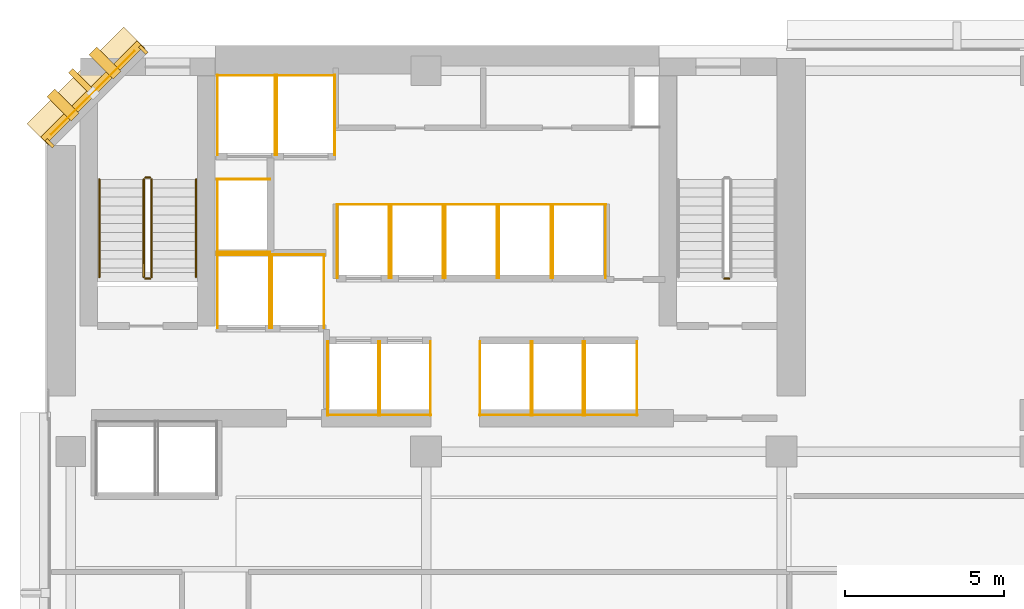
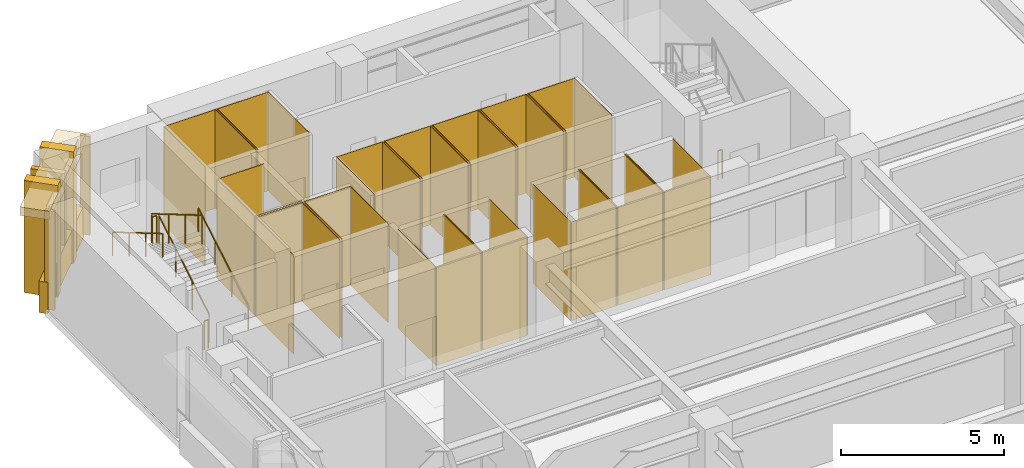
# One storey, part 11 of 13: 52 coverings, 7 railings, 1 shading device.
"""IFC4 building model written with IfcOpenShell, lengths in metres."""

from ifc_helpers import new_model, si_unit, direction, frame, origin, origin_2d, place, context, subcontext, project, spatial, polyline, rectangle, circle, outline, extrude, material, layer, layer_set, material_profile, profile_set, type_object, element, save


model = new_model("IFC4")

# Units and contexts
model_context = context("Model", 3, precision=1e-05, world=origin(), true_north=direction((0.0, 1.0)))
body_context = subcontext(model_context, "Body", "Model", "MODEL_VIEW")
ifc_project = project(units=[si_unit("LENGTHUNIT", "METRE"), si_unit("AREAUNIT", "SQUARE_METRE"), si_unit("VOLUMEUNIT", "CUBIC_METRE"), si_unit("PLANEANGLEUNIT", "RADIAN"), si_unit("MASSUNIT", "GRAM", prefix="KILO")], contexts=[model_context])

# Site, building, storey
site_placement = place(None, origin())
site = spatial("IfcSite", under=ifc_project, at=site_placement, CompositionType="ELEMENT")
building_placement = place(site_placement, origin())
building = spatial("IfcBuilding", under=site, at=building_placement, Name="Kefirva Bronze Tower", CompositionType="ELEMENT")
storey_placement = place(building_placement, frame((0.0, 0.0, 30.360107421875)))
storey = spatial("IfcBuildingStorey", under=building, at=storey_placement, Name="L06", CompositionType="ELEMENT", Elevation=30.360107421875)

# Coverings
ifc_material_1 = material(Name="Bronze anodised aluminium", Category="aluminium")
ifc_layer_1 = layer(ifc_material_1, 0.02001953125, Name="Bronze anodised aluminium")
ifc_layer_set_1 = layer_set([ifc_layer_1], Name="Bronze anodised aluminium")
covering_type_1 = type_object("IfcCoveringType", Name="Anodised Bronze Spandrel Cladding 20mm", PredefinedType="CLADDING", material=ifc_layer_set_1)
covering_1_placement = place(storey_placement, frame((1.492919921875, 44.507080078125, 3.2900390625), z_axis=(0.0, 0.0, 1.0), x_axis=(-0.707106781187, -0.707106781187, 0.0)))
element("IfcCovering", 1, at=covering_1_placement, inside=storey, type_object=covering_type_1, Name="L06 Bronze Spandrel Cladding 7", PredefinedType="CLADDING", context=body_context, shape_type="SweptSolid", body=[
    extrude(rectangle(XDim=3.719482421875, YDim=0.02001953125, at=origin_2d()), origin(), (0.0, 0.0, 1.0), 0.39990234375),
])
for number, where, z_axis, x_axis, name in (
    (2, (3.08837890625, 45.862060546875, 0.0), (0.0, 0.0, 1.0), (-0.707106781187, -0.707106781187, 0.0), "L06 Facade Joint Closure Panel 7S"),
    (3, (0.137939453125, 42.91162109375, 0.0), (0.0, 0.0, 1.0), (-0.707106781187, -0.707106781187, 0.0), "L06 Facade Joint Closure Panel 7E"),
):
    element("IfcCovering", number, at=place(storey_placement, frame(where, z_axis=z_axis, x_axis=x_axis)), inside=storey, type_object=covering_type_1, Name=name, PredefinedType="CLADDING", context=body_context, shape_type="SweptSolid", body=[
        extrude(rectangle(XDim=0.10009765625, YDim=0.320068359375, at=origin_2d()), origin(), (0.0, 0.0, 1.0), 3.7099609375),
    ])
covering_2_placement = place(storey_placement, frame((1.4716796875, 44.5283203125, -0.16015625), z_axis=(0.0, 0.0, 1.0), x_axis=(-0.707106781187, -0.707106781187, 0.0)))
element("IfcCovering", 4, at=covering_2_placement, inside=storey, type_object=covering_type_1, Name="L06 Streamline Horizontal Spandrel Band 9", PredefinedType="CLADDING", context=body_context, shape_type="SweptSolid", body=[
    extrude(rectangle(XDim=4.28271484375, YDim=0.280029296875, at=origin_2d()), origin(), (0.0, 0.0, 1.0), 1.179931640625),
])
covering_3_placement = place(storey_placement, origin())
element("IfcCovering", 5, at=covering_3_placement, inside=storey, type_object=covering_type_1, Name="L06 Lift FF1 Hoistway Liner N", PredefinedType="CLADDING", context=body_context, shape_type="SweptSolid", body=[
    extrude(outline(polyline([(5.39990234375, 39.389892578125), (7.080078125, 39.389892578125), (7.080078125, 39.409912109375), (5.39990234375, 39.409912109375), (5.39990234375, 39.389892578125)])), origin(), (0.0, 0.0, 1.0), 3.7099609375),
])
covering_4_placement = place(storey_placement, origin())
element("IfcCovering", 6, at=covering_4_placement, inside=storey, type_object=covering_type_1, Name="L06 Lift FF1 Hoistway Liner W", PredefinedType="CLADDING", context=body_context, shape_type="SweptSolid", body=[
    extrude(outline(polyline([(5.409912109375, 37.080078125), (5.429931640625, 37.080078125), (5.429931640625, 39.419921875), (5.409912109375, 39.419921875), (5.409912109375, 37.080078125)])), origin(), (0.0, 0.0, 1.0), 3.7099609375),
])
covering_5_placement = place(storey_placement, origin())
element("IfcCovering", 7, at=covering_5_placement, inside=storey, type_object=covering_type_1, Name="L06 Lift FF1 Hoistway Liner E", PredefinedType="CLADDING", context=body_context, shape_type="SweptSolid", body=[
    extrude(outline(polyline([(7.050048828125, 37.080078125), (7.070068359375, 37.080078125), (7.070068359375, 39.419921875), (7.050048828125, 39.419921875), (7.050048828125, 37.080078125)])), origin(), (0.0, 0.0, 1.0), 3.7099609375),
])
covering_6_placement = place(storey_placement, origin())
element("IfcCovering", 8, at=covering_6_placement, inside=storey, type_object=covering_type_1, Name="L06 Lift FF2 Hoistway Liner N", PredefinedType="CLADDING", context=body_context, shape_type="SweptSolid", body=[
    extrude(outline(polyline([(7.1201171875, 39.389892578125), (8.800048828125, 39.389892578125), (8.800048828125, 39.409912109375), (7.1201171875, 39.409912109375), (7.1201171875, 39.389892578125)])), origin(), (0.0, 0.0, 1.0), 3.7099609375),
])
covering_7_placement = place(storey_placement, origin())
element("IfcCovering", 9, at=covering_7_placement, inside=storey, type_object=covering_type_1, Name="L06 Lift FF2 Hoistway Liner W", PredefinedType="CLADDING", context=body_context, shape_type="SweptSolid", body=[
    extrude(outline(polyline([(7.1298828125, 37.080078125), (7.14990234375, 37.080078125), (7.14990234375, 39.419921875), (7.1298828125, 39.419921875), (7.1298828125, 37.080078125)])), origin(), (0.0, 0.0, 1.0), 3.7099609375),
])
covering_8_placement = place(storey_placement, origin())
element("IfcCovering", 10, at=covering_8_placement, inside=storey, type_object=covering_type_1, Name="L06 Lift FF2 Hoistway Liner E", PredefinedType="CLADDING", context=body_context, shape_type="SweptSolid", body=[
    extrude(outline(polyline([(8.77001953125, 37.080078125), (8.7900390625, 37.080078125), (8.7900390625, 39.419921875), (8.77001953125, 39.419921875), (8.77001953125, 37.080078125)])), origin(), (0.0, 0.0, 1.0), 3.7099609375),
])
covering_9_placement = place(storey_placement, origin())
element("IfcCovering", 11, at=covering_9_placement, inside=storey, type_object=covering_type_1, Name="L06 Lift SV1 Hoistway Liner N", PredefinedType="CLADDING", context=body_context, shape_type="SweptSolid", body=[
    extrude(outline(polyline([(5.39990234375, 45.0400390625), (7.260009765625, 45.0400390625), (7.260009765625, 45.06005859375), (5.39990234375, 45.06005859375), (5.39990234375, 45.0400390625)])), origin(), (0.0, 0.0, 1.0), 3.7099609375),
])
covering_10_placement = place(storey_placement, origin())
element("IfcCovering", 12, at=covering_10_placement, inside=storey, type_object=covering_type_1, Name="L06 Lift SV1 Hoistway Liner W", PredefinedType="CLADDING", context=body_context, shape_type="SweptSolid", body=[
    extrude(outline(polyline([(5.409912109375, 42.530029296875), (5.429931640625, 42.530029296875), (5.429931640625, 45.070068359375), (5.409912109375, 45.070068359375), (5.409912109375, 42.530029296875)])), origin(), (0.0, 0.0, 1.0), 3.7099609375),
])
covering_11_placement = place(storey_placement, origin())
element("IfcCovering", 13, at=covering_11_placement, inside=storey, type_object=covering_type_1, Name="L06 Lift SV1 Hoistway Liner E", PredefinedType="CLADDING", context=body_context, shape_type="SweptSolid", body=[
    extrude(outline(polyline([(7.22998046875, 42.530029296875), (7.25, 42.530029296875), (7.25, 45.070068359375), (7.22998046875, 45.070068359375), (7.22998046875, 42.530029296875)])), origin(), (0.0, 0.0, 1.0), 3.7099609375),
])
covering_12_placement = place(storey_placement, origin())
element("IfcCovering", 14, at=covering_12_placement, inside=storey, type_object=covering_type_1, Name="L06 Lift SV2 Hoistway Liner N", PredefinedType="CLADDING", context=body_context, shape_type="SweptSolid", body=[
    extrude(outline(polyline([(7.280029296875, 45.0400390625), (9.139892578125, 45.0400390625), (9.139892578125, 45.06005859375), (7.280029296875, 45.06005859375), (7.280029296875, 45.0400390625)])), origin(), (0.0, 0.0, 1.0), 3.7099609375),
])
covering_13_placement = place(storey_placement, origin())
element("IfcCovering", 15, at=covering_13_placement, inside=storey, type_object=covering_type_1, Name="L06 Lift SV2 Hoistway Liner W", PredefinedType="CLADDING", context=body_context, shape_type="SweptSolid", body=[
    extrude(outline(polyline([(7.2900390625, 42.530029296875), (7.31005859375, 42.530029296875), (7.31005859375, 45.070068359375), (7.2900390625, 45.070068359375), (7.2900390625, 42.530029296875)])), origin(), (0.0, 0.0, 1.0), 3.7099609375),
])
covering_14_placement = place(storey_placement, origin())
element("IfcCovering", 16, at=covering_14_placement, inside=storey, type_object=covering_type_1, Name="L06 Lift SV2 Hoistway Liner E", PredefinedType="CLADDING", context=body_context, shape_type="SweptSolid", body=[
    extrude(outline(polyline([(9.110107421875, 42.530029296875), (9.1298828125, 42.530029296875), (9.1298828125, 45.070068359375), (9.110107421875, 45.070068359375), (9.110107421875, 42.530029296875)])), origin(), (0.0, 0.0, 1.0), 3.7099609375),
])
covering_15_placement = place(storey_placement, origin())
element("IfcCovering", 17, at=covering_15_placement, inside=storey, type_object=covering_type_1, Name="L06 Lift LP1 Hoistway Liner S", PredefinedType="CLADDING", context=body_context, shape_type="SweptSolid", body=[
    extrude(outline(polyline([(8.8798828125, 34.340087890625), (10.52001953125, 34.340087890625), (10.52001953125, 34.360107421875), (8.8798828125, 34.360107421875), (8.8798828125, 34.340087890625)])), origin(), (0.0, 0.0, 1.0), 3.7099609375),
])
covering_16_placement = place(storey_placement, origin())
element("IfcCovering", 18, at=covering_16_placement, inside=storey, type_object=covering_type_1, Name="L06 Lift LP1 Hoistway Liner W", PredefinedType="CLADDING", context=body_context, shape_type="SweptSolid", body=[
    extrude(outline(polyline([(8.889892578125, 34.330078125), (8.909912109375, 34.330078125), (8.909912109375, 36.669921875), (8.889892578125, 36.669921875), (8.889892578125, 34.330078125)])), origin(), (0.0, 0.0, 1.0), 3.7099609375),
])
covering_17_placement = place(storey_placement, origin())
element("IfcCovering", 19, at=covering_17_placement, inside=storey, type_object=covering_type_1, Name="L06 Lift LP1 Hoistway Liner E", PredefinedType="CLADDING", context=body_context, shape_type="SweptSolid", body=[
    extrude(outline(polyline([(10.489990234375, 34.330078125), (10.510009765625, 34.330078125), (10.510009765625, 36.669921875), (10.489990234375, 36.669921875), (10.489990234375, 34.330078125)])), origin(), (0.0, 0.0, 1.0), 3.7099609375),
])
covering_18_placement = place(storey_placement, origin())
element("IfcCovering", 20, at=covering_18_placement, inside=storey, type_object=covering_type_1, Name="L06 Lift LP2 Hoistway Liner S", PredefinedType="CLADDING", context=body_context, shape_type="SweptSolid", body=[
    extrude(outline(polyline([(10.52001953125, 34.340087890625), (12.159912109375, 34.340087890625), (12.159912109375, 34.360107421875), (10.52001953125, 34.360107421875), (10.52001953125, 34.340087890625)])), origin(), (0.0, 0.0, 1.0), 3.7099609375),
])
covering_19_placement = place(storey_placement, origin())
element("IfcCovering", 21, at=covering_19_placement, inside=storey, type_object=covering_type_1, Name="L06 Lift LP2 Hoistway Liner W", PredefinedType="CLADDING", context=body_context, shape_type="SweptSolid", body=[
    extrude(outline(polyline([(10.530029296875, 34.330078125), (10.550048828125, 34.330078125), (10.550048828125, 36.669921875), (10.530029296875, 36.669921875), (10.530029296875, 34.330078125)])), origin(), (0.0, 0.0, 1.0), 3.7099609375),
])
covering_20_placement = place(storey_placement, origin())
element("IfcCovering", 22, at=covering_20_placement, inside=storey, type_object=covering_type_1, Name="L06 Lift LP2 Hoistway Liner E", PredefinedType="CLADDING", context=body_context, shape_type="SweptSolid", body=[
    extrude(outline(polyline([(12.1298828125, 34.330078125), (12.14990234375, 34.330078125), (12.14990234375, 36.669921875), (12.1298828125, 36.669921875), (12.1298828125, 34.330078125)])), origin(), (0.0, 0.0, 1.0), 3.7099609375),
])
covering_21_placement = place(storey_placement, origin())
element("IfcCovering", 23, at=covering_21_placement, inside=storey, type_object=covering_type_1, Name="L06 Lift LP3 Hoistway Liner N", PredefinedType="CLADDING", context=body_context, shape_type="SweptSolid", body=[
    extrude(outline(polyline([(9.179931640625, 40.969970703125), (10.85009765625, 40.969970703125), (10.85009765625, 40.989990234375), (9.179931640625, 40.989990234375), (9.179931640625, 40.969970703125)])), origin(), (0.0, 0.0, 1.0), 3.7099609375),
])
covering_22_placement = place(storey_placement, origin())
element("IfcCovering", 24, at=covering_22_placement, inside=storey, type_object=covering_type_1, Name="L06 Lift LP3 Hoistway Liner W", PredefinedType="CLADDING", context=body_context, shape_type="SweptSolid", body=[
    extrude(outline(polyline([(9.18994140625, 38.659912109375), (9.2099609375, 38.659912109375), (9.2099609375, 41.0), (9.18994140625, 41.0), (9.18994140625, 38.659912109375)])), origin(), (0.0, 0.0, 1.0), 3.7099609375),
])
covering_23_placement = place(storey_placement, origin())
element("IfcCovering", 25, at=covering_23_placement, inside=storey, type_object=covering_type_1, Name="L06 Lift LP3 Hoistway Liner E", PredefinedType="CLADDING", context=body_context, shape_type="SweptSolid", body=[
    extrude(outline(polyline([(10.820068359375, 38.659912109375), (10.840087890625, 38.659912109375), (10.840087890625, 41.0), (10.820068359375, 41.0), (10.820068359375, 38.659912109375)])), origin(), (0.0, 0.0, 1.0), 3.7099609375),
])
covering_24_placement = place(storey_placement, origin())
element("IfcCovering", 26, at=covering_24_placement, inside=storey, type_object=covering_type_1, Name="L06 Lift LP4 Hoistway Liner N", PredefinedType="CLADDING", context=body_context, shape_type="SweptSolid", body=[
    extrude(outline(polyline([(10.8798828125, 40.969970703125), (12.550048828125, 40.969970703125), (12.550048828125, 40.989990234375), (10.8798828125, 40.989990234375), (10.8798828125, 40.969970703125)])), origin(), (0.0, 0.0, 1.0), 3.7099609375),
])
covering_25_placement = place(storey_placement, origin())
element("IfcCovering", 27, at=covering_25_placement, inside=storey, type_object=covering_type_1, Name="L06 Lift LP4 Hoistway Liner W", PredefinedType="CLADDING", context=body_context, shape_type="SweptSolid", body=[
    extrude(outline(polyline([(10.889892578125, 38.659912109375), (10.909912109375, 38.659912109375), (10.909912109375, 41.0), (10.889892578125, 41.0), (10.889892578125, 38.659912109375)])), origin(), (0.0, 0.0, 1.0), 3.7099609375),
])
covering_26_placement = place(storey_placement, origin())
element("IfcCovering", 28, at=covering_26_placement, inside=storey, type_object=covering_type_1, Name="L06 Lift LP4 Hoistway Liner E", PredefinedType="CLADDING", context=body_context, shape_type="SweptSolid", body=[
    extrude(outline(polyline([(12.52001953125, 38.659912109375), (12.5400390625, 38.659912109375), (12.5400390625, 41.0), (12.52001953125, 41.0), (12.52001953125, 38.659912109375)])), origin(), (0.0, 0.0, 1.0), 3.7099609375),
])
covering_27_placement = place(storey_placement, origin())
element("IfcCovering", 29, at=covering_27_placement, inside=storey, type_object=covering_type_1, Name="L06 Lift MP1 Hoistway Liner S", PredefinedType="CLADDING", context=body_context, shape_type="SweptSolid", body=[
    extrude(outline(polyline([(13.679931640625, 34.340087890625), (15.320068359375, 34.340087890625), (15.320068359375, 34.360107421875), (13.679931640625, 34.360107421875), (13.679931640625, 34.340087890625)])), origin(), (0.0, 0.0, 1.0), 3.7099609375),
])
covering_28_placement = place(storey_placement, origin())
element("IfcCovering", 30, at=covering_28_placement, inside=storey, type_object=covering_type_1, Name="L06 Lift MP1 Hoistway Liner W", PredefinedType="CLADDING", context=body_context, shape_type="SweptSolid", body=[
    extrude(outline(polyline([(13.68994140625, 34.330078125), (13.7099609375, 34.330078125), (13.7099609375, 36.669921875), (13.68994140625, 36.669921875), (13.68994140625, 34.330078125)])), origin(), (0.0, 0.0, 1.0), 3.7099609375),
])
covering_29_placement = place(storey_placement, origin())
element("IfcCovering", 31, at=covering_29_placement, inside=storey, type_object=covering_type_1, Name="L06 Lift MP1 Hoistway Liner E", PredefinedType="CLADDING", context=body_context, shape_type="SweptSolid", body=[
    extrude(outline(polyline([(15.2900390625, 34.330078125), (15.31005859375, 34.330078125), (15.31005859375, 36.669921875), (15.2900390625, 36.669921875), (15.2900390625, 34.330078125)])), origin(), (0.0, 0.0, 1.0), 3.7099609375),
])
covering_30_placement = place(storey_placement, origin())
element("IfcCovering", 32, at=covering_30_placement, inside=storey, type_object=covering_type_1, Name="L06 Lift MP2 Hoistway Liner S", PredefinedType="CLADDING", context=body_context, shape_type="SweptSolid", body=[
    extrude(outline(polyline([(15.330078125, 34.340087890625), (16.969970703125, 34.340087890625), (16.969970703125, 34.360107421875), (15.330078125, 34.360107421875), (15.330078125, 34.340087890625)])), origin(), (0.0, 0.0, 1.0), 3.7099609375),
])
covering_31_placement = place(storey_placement, origin())
element("IfcCovering", 33, at=covering_31_placement, inside=storey, type_object=covering_type_1, Name="L06 Lift MP2 Hoistway Liner W", PredefinedType="CLADDING", context=body_context, shape_type="SweptSolid", body=[
    extrude(outline(polyline([(15.340087890625, 34.330078125), (15.360107421875, 34.330078125), (15.360107421875, 36.669921875), (15.340087890625, 36.669921875), (15.340087890625, 34.330078125)])), origin(), (0.0, 0.0, 1.0), 3.7099609375),
])
covering_32_placement = place(storey_placement, origin())
element("IfcCovering", 34, at=covering_32_placement, inside=storey, type_object=covering_type_1, Name="L06 Lift MP2 Hoistway Liner E", PredefinedType="CLADDING", context=body_context, shape_type="SweptSolid", body=[
    extrude(outline(polyline([(16.93994140625, 34.330078125), (16.9599609375, 34.330078125), (16.9599609375, 36.669921875), (16.93994140625, 36.669921875), (16.93994140625, 34.330078125)])), origin(), (0.0, 0.0, 1.0), 3.7099609375),
])
covering_33_placement = place(storey_placement, origin())
element("IfcCovering", 35, at=covering_33_placement, inside=storey, type_object=covering_type_1, Name="L06 Lift MP3 Hoistway Liner N", PredefinedType="CLADDING", context=body_context, shape_type="SweptSolid", body=[
    extrude(outline(polyline([(12.580078125, 40.969970703125), (14.25, 40.969970703125), (14.25, 40.989990234375), (12.580078125, 40.989990234375), (12.580078125, 40.969970703125)])), origin(), (0.0, 0.0, 1.0), 3.7099609375),
])
covering_34_placement = place(storey_placement, origin())
element("IfcCovering", 36, at=covering_34_placement, inside=storey, type_object=covering_type_1, Name="L06 Lift MP3 Hoistway Liner W", PredefinedType="CLADDING", context=body_context, shape_type="SweptSolid", body=[
    extrude(outline(polyline([(12.590087890625, 38.659912109375), (12.610107421875, 38.659912109375), (12.610107421875, 41.0), (12.590087890625, 41.0), (12.590087890625, 38.659912109375)])), origin(), (0.0, 0.0, 1.0), 3.7099609375),
])
covering_35_placement = place(storey_placement, origin())
element("IfcCovering", 37, at=covering_35_placement, inside=storey, type_object=covering_type_1, Name="L06 Lift MP3 Hoistway Liner E", PredefinedType="CLADDING", context=body_context, shape_type="SweptSolid", body=[
    extrude(outline(polyline([(14.219970703125, 38.659912109375), (14.239990234375, 38.659912109375), (14.239990234375, 41.0), (14.219970703125, 41.0), (14.219970703125, 38.659912109375)])), origin(), (0.0, 0.0, 1.0), 3.7099609375),
])
covering_36_placement = place(storey_placement, origin())
element("IfcCovering", 38, at=covering_36_placement, inside=storey, type_object=covering_type_1, Name="L06 Lift MP4 Hoistway Liner N", PredefinedType="CLADDING", context=body_context, shape_type="SweptSolid", body=[
    extrude(outline(polyline([(14.280029296875, 40.969970703125), (15.949951171875, 40.969970703125), (15.949951171875, 40.989990234375), (14.280029296875, 40.989990234375), (14.280029296875, 40.969970703125)])), origin(), (0.0, 0.0, 1.0), 3.7099609375),
])
covering_37_placement = place(storey_placement, origin())
element("IfcCovering", 39, at=covering_37_placement, inside=storey, type_object=covering_type_1, Name="L06 Lift MP4 Hoistway Liner W", PredefinedType="CLADDING", context=body_context, shape_type="SweptSolid", body=[
    extrude(outline(polyline([(14.2900390625, 38.659912109375), (14.31005859375, 38.659912109375), (14.31005859375, 41.0), (14.2900390625, 41.0), (14.2900390625, 38.659912109375)])), origin(), (0.0, 0.0, 1.0), 3.7099609375),
])
covering_38_placement = place(storey_placement, origin())
element("IfcCovering", 40, at=covering_38_placement, inside=storey, type_object=covering_type_1, Name="L06 Lift MP4 Hoistway Liner E", PredefinedType="CLADDING", context=body_context, shape_type="SweptSolid", body=[
    extrude(outline(polyline([(15.919921875, 38.659912109375), (15.93994140625, 38.659912109375), (15.93994140625, 41.0), (15.919921875, 41.0), (15.919921875, 38.659912109375)])), origin(), (0.0, 0.0, 1.0), 3.7099609375),
])
covering_39_placement = place(storey_placement, origin())
element("IfcCovering", 41, at=covering_39_placement, inside=storey, type_object=covering_type_1, Name="L06 Lift HP1 Hoistway Liner S", PredefinedType="CLADDING", context=body_context, shape_type="SweptSolid", body=[
    extrude(outline(polyline([(16.97998046875, 34.340087890625), (18.669921875, 34.340087890625), (18.669921875, 34.360107421875), (16.97998046875, 34.360107421875), (16.97998046875, 34.340087890625)])), origin(), (0.0, 0.0, 1.0), 3.7099609375),
])
covering_40_placement = place(storey_placement, origin())
element("IfcCovering", 42, at=covering_40_placement, inside=storey, type_object=covering_type_1, Name="L06 Lift HP1 Hoistway Liner W", PredefinedType="CLADDING", context=body_context, shape_type="SweptSolid", body=[
    extrude(outline(polyline([(16.989990234375, 34.330078125), (17.010009765625, 34.330078125), (17.010009765625, 36.669921875), (16.989990234375, 36.669921875), (16.989990234375, 34.330078125)])), origin(), (0.0, 0.0, 1.0), 3.7099609375),
])
covering_41_placement = place(storey_placement, origin())
element("IfcCovering", 43, at=covering_41_placement, inside=storey, type_object=covering_type_1, Name="L06 Lift HP1 Hoistway Liner E", PredefinedType="CLADDING", context=body_context, shape_type="SweptSolid", body=[
    extrude(outline(polyline([(18.639892578125, 34.330078125), (18.659912109375, 34.330078125), (18.659912109375, 36.669921875), (18.639892578125, 36.669921875), (18.639892578125, 34.330078125)])), origin(), (0.0, 0.0, 1.0), 3.7099609375),
])
covering_42_placement = place(storey_placement, origin())
element("IfcCovering", 44, at=covering_42_placement, inside=storey, type_object=covering_type_1, Name="L06 Lift HP2 Hoistway Liner N", PredefinedType="CLADDING", context=body_context, shape_type="SweptSolid", body=[
    extrude(outline(polyline([(15.97998046875, 40.969970703125), (17.669921875, 40.969970703125), (17.669921875, 40.989990234375), (15.97998046875, 40.989990234375), (15.97998046875, 40.969970703125)])), origin(), (0.0, 0.0, 1.0), 3.7099609375),
])
covering_43_placement = place(storey_placement, origin())
element("IfcCovering", 45, at=covering_43_placement, inside=storey, type_object=covering_type_1, Name="L06 Lift HP2 Hoistway Liner W", PredefinedType="CLADDING", context=body_context, shape_type="SweptSolid", body=[
    extrude(outline(polyline([(15.989990234375, 38.659912109375), (16.010009765625, 38.659912109375), (16.010009765625, 41.0), (15.989990234375, 41.0), (15.989990234375, 38.659912109375)])), origin(), (0.0, 0.0, 1.0), 3.7099609375),
])
covering_44_placement = place(storey_placement, origin())
element("IfcCovering", 46, at=covering_44_placement, inside=storey, type_object=covering_type_1, Name="L06 Lift HP2 Hoistway Liner E", PredefinedType="CLADDING", context=body_context, shape_type="SweptSolid", body=[
    extrude(outline(polyline([(17.639892578125, 38.659912109375), (17.659912109375, 38.659912109375), (17.659912109375, 41.0), (17.639892578125, 41.0), (17.639892578125, 38.659912109375)])), origin(), (0.0, 0.0, 1.0), 3.7099609375),
])
covering_45_placement = place(storey_placement, origin())
element("IfcCovering", 47, at=covering_45_placement, inside=storey, type_object=covering_type_1, Name="L06 Lift HP3 Hoistway Liner N", PredefinedType="CLADDING", context=body_context, shape_type="SweptSolid", body=[
    extrude(outline(polyline([(5.39990234375, 41.77001953125), (7.080078125, 41.77001953125), (7.080078125, 41.7900390625), (5.39990234375, 41.7900390625), (5.39990234375, 41.77001953125)])), origin(), (0.0, 0.0, 1.0), 3.7099609375),
])
covering_46_placement = place(storey_placement, origin())
element("IfcCovering", 48, at=covering_46_placement, inside=storey, type_object=covering_type_1, Name="L06 Lift HP3 Hoistway Liner S", PredefinedType="CLADDING", context=body_context, shape_type="SweptSolid", body=[
    extrude(outline(polyline([(5.39990234375, 39.469970703125), (7.080078125, 39.469970703125), (7.080078125, 39.489990234375), (5.39990234375, 39.489990234375), (5.39990234375, 39.469970703125)])), origin(), (0.0, 0.0, 1.0), 3.7099609375),
])
covering_47_placement = place(storey_placement, origin())
element("IfcCovering", 49, at=covering_47_placement, inside=storey, type_object=covering_type_1, Name="L06 Lift HP3 Hoistway Liner W", PredefinedType="CLADDING", context=body_context, shape_type="SweptSolid", body=[
    extrude(outline(polyline([(5.409912109375, 39.4599609375), (5.429931640625, 39.4599609375), (5.429931640625, 41.800048828125), (5.409912109375, 41.800048828125), (5.409912109375, 39.4599609375)])), origin(), (0.0, 0.0, 1.0), 3.7099609375),
])

# Shading device
ifc_material_profile = material_profile(ifc_material_1, rectangle(XDim=0.179931640625, YDim=1.080078125, at=origin_2d()), Name="BRONZE BUTTRESS FIN 180x1080")
ifc_profile_set = profile_set([ifc_material_profile], Name="Bronze anodised aluminium")
shading_device_type = type_object("IfcShadingDeviceType", Name="Chamfered Corner Buttress Bronze Fin 1080mm", PredefinedType="USERDEFINED", material=ifc_profile_set)
shading_device_placement = place(storey_placement, frame((1.1748046875, 44.8251953125, -0.14013671875), z_axis=(0.0, 0.0, 1.0), x_axis=(-0.707106781187, -0.707106781187, 0.0)))
element("IfcShadingDevice", 50, at=shading_device_placement, inside=storey, type_object=shading_device_type, Name="L06 Chamfered Corner Buttress Fin 22", ObjectType="VERTICAL FIN", PredefinedType="USERDEFINED", context=body_context, shape_type="SweptSolid", body=[
    extrude(rectangle(XDim=0.179931640625, YDim=1.080078125, at=origin_2d()), origin(), (0.0, 0.0, 1.0), 3.85009765625),
])

# Railings
ifc_material_2 = material(Name="Stainless steel 316", Category="steel")
railing_type_1 = type_object("IfcRailingType", Name="Interior Stair Guardrail 1100mm", PredefinedType="GUARDRAIL", material=ifc_material_2)
railing_1_placement = place(storey_placement, frame((3.35009765625, 38.699951171875, 0.164794921875)))
element("IfcRailing", 51, at=railing_1_placement, inside=storey, type_object=railing_type_1, Name="L06 ST-1 stair guard 1", PredefinedType="GUARDRAIL", context=body_context, shape_type="SweptSolid", body=[
    extrude(circle(Radius=0.02392578125, at=origin_2d()), frame((0.0, 0.0, 1.076171875), z_axis=(0.0, 0.861521393093, 0.507721271215), x_axis=(-1.0, 0.0, 0.0)), (0.0, 0.0, 1.0), 3.5751953125),
    extrude(circle(Radius=0.02099609375, at=origin_2d()), origin(), (0.0, 0.0, 1.0), 1.052001953125),
    extrude(circle(Radius=0.02099609375, at=origin_2d()), frame((0.0, 1.026611328125, 0.60498046875)), (0.0, 0.0, 1.0), 1.052001953125),
    extrude(circle(Radius=0.02099609375, at=origin_2d()), frame((0.0, 2.053466796875, 1.210205078125)), (0.0, 0.0, 1.0), 1.052001953125),
    extrude(circle(Radius=0.02099609375, at=origin_2d()), frame((0.0, 3.080078125, 1.815185546875)), (0.0, 0.0, 1.0), 1.052001953125),
])
railing_2_placement = place(storey_placement, frame((3.300048828125, 41.830078125, 1.97998046875)))
element("IfcRailing", 52, at=railing_2_placement, inside=storey, type_object=railing_type_1, Name="L06 ST-1 stair guard 2", PredefinedType="GUARDRAIL", context=body_context, shape_type="SweptSolid", body=[
    extrude(circle(Radius=0.02392578125, at=origin_2d()), frame((0.0, 0.0, 1.076171875), z_axis=(-1.0, 0.0, 0.0), x_axis=(0.0, -1.0, 0.0)), (0.0, 0.0, 1.0), 0.150146484375),
    extrude(circle(Radius=0.02099609375, at=origin_2d()), origin(), (0.0, 0.0, 1.0), 1.052001953125),
    extrude(circle(Radius=0.02099609375, at=origin_2d()), frame((-0.150146484375, 0.0, 0.0)), (0.0, 0.0, 1.0), 1.052001953125),
])
railing_3_placement = place(storey_placement, frame((3.10009765625, 41.780029296875, 2.144775390625)))
element("IfcRailing", 53, at=railing_3_placement, inside=storey, type_object=railing_type_1, Name="L06 ST-1 stair guard 3", PredefinedType="GUARDRAIL", context=body_context, shape_type="SweptSolid", body=[
    extrude(circle(Radius=0.02392578125, at=origin_2d()), frame((0.0, 0.0, 1.076171875), z_axis=(0.0, -0.861521393093, 0.507721271215), x_axis=(1.0, 0.0, 0.0)), (0.0, 0.0, 1.0), 3.5751953125),
    extrude(circle(Radius=0.02099609375, at=origin_2d()), origin(), (0.0, 0.0, 1.0), 1.052001953125),
    extrude(circle(Radius=0.02099609375, at=origin_2d()), frame((0.0, -1.026611328125, 0.60498046875)), (0.0, 0.0, 1.0), 1.052001953125),
    extrude(circle(Radius=0.02099609375, at=origin_2d()), frame((0.0, -2.053466796875, 1.210205078125)), (0.0, 0.0, 1.0), 1.052001953125),
    extrude(circle(Radius=0.02099609375, at=origin_2d()), frame((0.0, -3.080078125, 1.815185546875)), (0.0, 0.0, 1.0), 1.052001953125),
])
for number, where, name in (
    (54, (3.300048828125, 38.64990234375, 0.0), "L06 ST-1 stair guard 4"),
    (55, (21.550048828125, 38.64990234375, 0.0), "L06 ST-2 stair guard 4"),
):
    element("IfcRailing", number, at=place(storey_placement, frame(where)), inside=storey, type_object=railing_type_1, Name=name, PredefinedType="GUARDRAIL", context=body_context, shape_type="SweptSolid", body=[
        extrude(circle(Radius=0.02392578125, at=origin_2d()), frame((0.0, 0.0, 1.076171875), z_axis=(-1.0, 0.0, 0.0), x_axis=(0.0, -1.0, 0.0)), (0.0, 0.0, 1.0), 0.150146484375),
        extrude(circle(Radius=0.02099609375, at=origin_2d()), origin(), (0.0, 0.0, 1.0), 1.052001953125),
        extrude(circle(Radius=0.02099609375, at=origin_2d()), frame((-0.150146484375, 0.0, 0.0)), (0.0, 0.0, 1.0), 1.052001953125),
    ])
railing_type_2 = type_object("IfcRailingType", Name="Stair Pitch Handrail 900mm", PredefinedType="HANDRAIL", material=ifc_material_2)
railing_4_placement = place(storey_placement, frame((4.75, 38.699951171875, 0.164794921875)))
element("IfcRailing", 56, at=railing_4_placement, inside=storey, type_object=railing_type_2, Name="L06 ST-1 stair handrail 1", PredefinedType="HANDRAIL", context=body_context, shape_type="SweptSolid", body=[
    extrude(circle(Radius=0.02392578125, at=origin_2d()), frame((0.0, 0.0, 0.8759765625), z_axis=(0.0, 0.861521393093, 0.507721271215), x_axis=(-1.0, 0.0, 0.0)), (0.0, 0.0, 1.0), 3.5751953125),
    extrude(circle(Radius=0.02099609375, at=origin_2d()), origin(), (0.0, 0.0, 1.0), 0.851806640625),
    extrude(circle(Radius=0.02099609375, at=origin_2d()), frame((0.0, 1.026611328125, 0.60498046875)), (0.0, 0.0, 1.0), 0.851806640625),
    extrude(circle(Radius=0.02099609375, at=origin_2d()), frame((0.0, 2.053466796875, 1.210205078125)), (0.0, 0.0, 1.0), 0.851806640625),
    extrude(circle(Radius=0.02099609375, at=origin_2d()), frame((0.0, 3.080078125, 1.815185546875)), (0.0, 0.0, 1.0), 0.851806640625),
])
railing_5_placement = place(storey_placement, frame((1.699951171875, 41.780029296875, 2.144775390625)))
element("IfcRailing", 57, at=railing_5_placement, inside=storey, type_object=railing_type_2, Name="L06 ST-1 stair handrail 2", PredefinedType="HANDRAIL", context=body_context, shape_type="SweptSolid", body=[
    extrude(circle(Radius=0.02392578125, at=origin_2d()), frame((0.0, 0.0, 0.8759765625), z_axis=(0.0, -0.861521393093, 0.507721271215), x_axis=(1.0, 0.0, 0.0)), (0.0, 0.0, 1.0), 3.5751953125),
    extrude(circle(Radius=0.02099609375, at=origin_2d()), origin(), (0.0, 0.0, 1.0), 0.851806640625),
    extrude(circle(Radius=0.02099609375, at=origin_2d()), frame((0.0, -1.026611328125, 0.60498046875)), (0.0, 0.0, 1.0), 0.851806640625),
    extrude(circle(Radius=0.02099609375, at=origin_2d()), frame((0.0, -2.053466796875, 1.210205078125)), (0.0, 0.0, 1.0), 0.851806640625),
    extrude(circle(Radius=0.02099609375, at=origin_2d()), frame((0.0, -3.080078125, 1.815185546875)), (0.0, 0.0, 1.0), 0.851806640625),
])

# Coverings
ifc_layer_2 = layer(ifc_material_1, 0.179931640625, Name="Bronze anodised aluminium")
ifc_layer_set_2 = layer_set([ifc_layer_2], Name="Bronze anodised aluminium")
covering_type_2 = type_object("IfcCoveringType", Name="Streamline Bronze Sunshade Eyebrow Cladding 180mm", PredefinedType="CLADDING", material=ifc_layer_set_2)
covering_48_placement = place(storey_placement, frame((1.28076171875, 44.71923828125, 3.3896484375), z_axis=(0.0, 0.0, 1.0), x_axis=(-0.707106781187, -0.707106781187, 0.0)))
element("IfcCovering", 58, at=covering_48_placement, inside=storey, type_object=covering_type_2, Name="L06 Streamline Bronze Sunshade Eyebrow 9", PredefinedType="CLADDING", context=body_context, shape_type="SweptSolid", body=[
    extrude(rectangle(XDim=4.322509765625, YDim=0.93994140625, at=origin_2d()), origin(), (0.0, 0.0, 1.0), 0.320068359375),
])
ifc_layer_3 = layer(ifc_material_1, 0.260009765625, Name="Bronze anodised aluminium")
ifc_layer_set_3 = layer_set([ifc_layer_3], Name="Bronze anodised aluminium")
covering_type_3 = type_object("IfcCoveringType", Name="Unbroken Bronze Buttress Fin Cladding 260mm", PredefinedType="CLADDING", material=ifc_layer_set_3)
for number, where, z_axis, x_axis, name in (
    (59, (1.877197265625, 45.44287109375, -0.25), (0.0, 0.0, 1.0), (-0.707106781187, -0.707106781187, 0.0), "L06 Chamfered Corner Buttress Fin Cladding 21"),
    (60, (0.55712890625, 44.122802734375, -0.25), (0.0, 0.0, 1.0), (-0.707106781187, -0.707106781187, 0.0), "L06 Chamfered Corner Buttress Fin Cladding 22"),
):
    element("IfcCovering", number, at=place(storey_placement, frame(where, z_axis=z_axis, x_axis=x_axis)), inside=storey, type_object=covering_type_3, Name=name, PredefinedType="CLADDING", context=body_context, shape_type="SweptSolid", body=[
        extrude(rectangle(XDim=0.340087890625, YDim=1.080078125, at=origin_2d()), origin(), (0.0, 0.0, 1.0), 4.2099609375),
    ])

save(model, "model.ifc")
